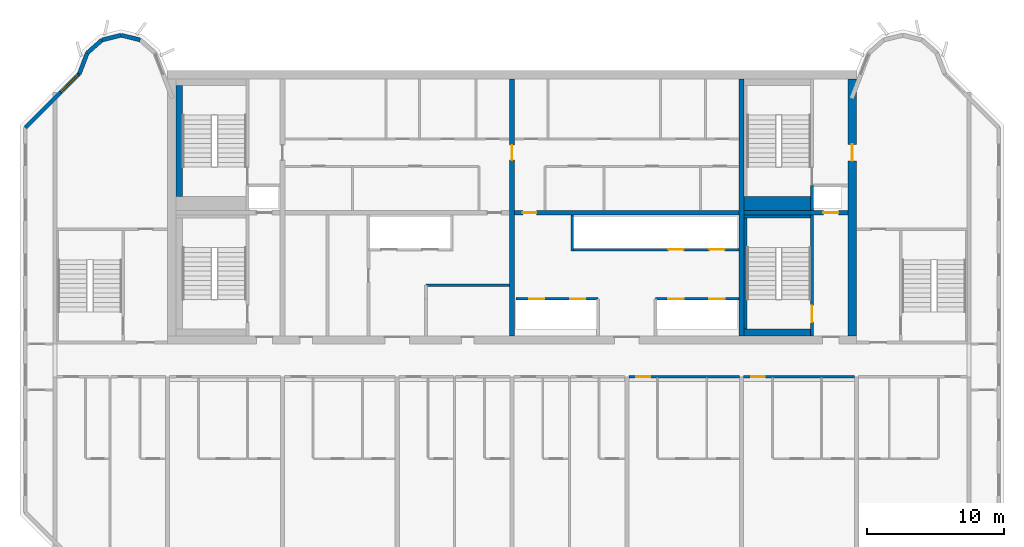
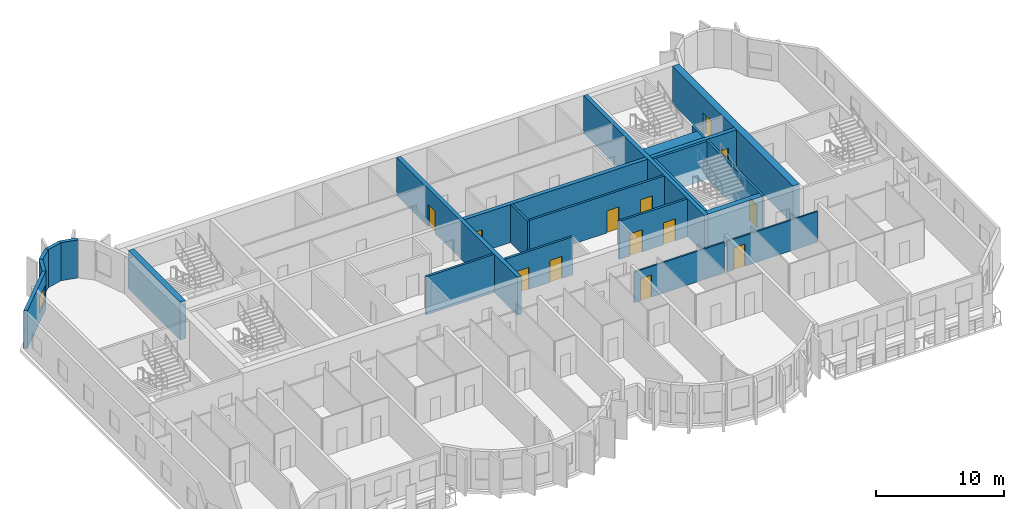
# One storey, part 6 of 11: 24 walls, 13 doors, 1 window, 14 openings.
"""IFC4 building model written with IfcOpenShell, lengths in metres."""

from ifc_helpers import new_model, si_unit, direction, frame, frame_2d, origin, place, context, subcontext, project, spatial, rectangle, extrude, source, transform, mapped, material, layer, layer_set, type_object, element, fill, save


model = new_model("IFC4")

# Units and contexts
model_context = context("Model", 3, precision=1e-05, world=origin(), true_north=direction((0.0, 1.0)))
body_context = subcontext(model_context, "Body", "Model", "MODEL_VIEW")
ifc_project = project(units=[si_unit("LENGTHUNIT", "METRE"), si_unit("AREAUNIT", "SQUARE_METRE"), si_unit("VOLUMEUNIT", "CUBIC_METRE"), si_unit("PLANEANGLEUNIT", "RADIAN"), si_unit("MASSUNIT", "GRAM", prefix="KILO")], contexts=[model_context])

# Site, building, storey
site_placement = place(None, origin())
site = spatial("IfcSite", under=ifc_project, at=site_placement, CompositionType="ELEMENT")
building_placement = place(site_placement, origin())
building = spatial("IfcBuilding", under=site, at=building_placement, Name="Vanashikhar Sky Hotel", CompositionType="ELEMENT")
storey_placement = place(building_placement, frame((0.0, 0.0, 260.800048828125)))
storey = spatial("IfcBuildingStorey", under=building, at=storey_placement, Name="L63", CompositionType="ELEMENT", Elevation=260.800048828125)

# Wall, opening, door
ifc_material_1 = material(Name="Concrete M60", Category="concrete")
ifc_layer_1 = layer(ifc_material_1, 0.60009765625)
ifc_layer_set_1 = layer_set([ifc_layer_1], Name="RC core shell wall 600 Concrete M60")
wall_type_1 = type_object("IfcWallType", Name="RC core shell wall 600 Concrete M60", PredefinedType="SHEAR", material=ifc_layer_set_1)
shared_shape_1 = source(origin(), body_context, "Body", "SweptSolid", [
    extrude(rectangle(XDim=18.7998046875, YDim=0.60009765625, at=frame_2d((9.39990234375, 0.0))), origin(), (0.0, 0.0, 1.0), 3.619873046875),
])
wall_1_placement = place(storey_placement, frame((75.300048828125, 22.60009765625, 0.0), z_axis=(0.0, 0.0, 1.0), x_axis=(0.0, 1.0, 0.0)))
wall_1 = element("IfcWall", 1, at=wall_1_placement, inside=storey, type_object=wall_type_1, Name="KW-L63-KE", PredefinedType="SHEAR", context=body_context, shape_type="MappedRepresentation", body=[
    mapped(shared_shape_1, transform((0.0, 0.0, 0.0), scale=1.0)),
])
shared_shape_2 = source(origin(), body_context, "Body", "SweptSolid", [
    extrude(rectangle(XDim=1.199951171875, YDim=2.10009765625, at=frame_2d((0.60009765625, 1.050048828125))), frame((0.0, 0.31005859375, 0.0), z_axis=(0.0, -1.0, 0.0), x_axis=(1.0, 0.0, 0.0)), (0.0, 0.0, 1.0), 0.6201171875),
])
opening_1_placement = place(wall_1_placement, frame((12.800048828125, 0.0, 0.0)))
opening_1 = element("IfcOpeningElement", 2, at=opening_1_placement, cuts=wall_1, Name="Opening DC-4-D", PredefinedType="OPENING", context=body_context, shape_type="MappedRepresentation", body=[
    mapped(shared_shape_2, transform((0.0, 0.0, 0.0), scale=1.0)),
])
ifc_material_2 = material(Name="Steel", Category="steel")
door_type_1 = type_object("IfcDoorType", Name="Service door 1200 FD120", OperationType="NOTDEFINED", PredefinedType="DOOR", material=ifc_material_2)
shared_shape_3 = source(origin(), body_context, "Body", "SweptSolid", [
    extrude(rectangle(XDim=1.199951171875, YDim=2.10009765625, at=frame_2d((0.60009765625, 1.050048828125))), frame((0.0, 0.02490234375, 0.0), z_axis=(0.0, -1.0, 0.0), x_axis=(1.0, 0.0, 0.0)), (0.0, 0.0, 1.0), 0.050048828125),
])
door_1_placement = place(opening_1_placement, origin())
door_1 = element("IfcDoor", 3, at=door_1_placement, inside=storey, type_object=door_type_1, Name="Service door 1200 FD120", OperationType="SINGLE_SWING_RIGHT", OverallHeight=2.10009765625, OverallWidth=1.199951171875, PredefinedType="DOOR", context=body_context, shape_type="MappedRepresentation", body=[
    mapped(shared_shape_3, transform((0.0, 0.0, 0.0), scale=1.0)),
])
fill(opening_1, door_1)

ifc_layer_2 = layer(ifc_material_1, 0.35009765625)
ifc_layer_set_2 = layer_set([ifc_layer_2], Name="RC core inner wall 350 Concrete M60")
wall_type_2 = type_object("IfcWallType", Name="RC core inner wall 350 Concrete M60", PredefinedType="SHEAR", material=ifc_layer_set_2)
shared_shape_4 = source(origin(), body_context, "Body", "SweptSolid", [
    extrude(rectangle(XDim=18.7998046875, YDim=0.35009765625, at=frame_2d((9.39990234375, 0.0))), origin(), (0.0, 0.0, 1.0), 3.619873046875),
])
wall_2_placement = place(storey_placement, frame((50.39990234375, 22.60009765625, 0.0), z_axis=(0.0, 0.0, 1.0), x_axis=(0.0, 1.0, 0.0)))
wall_2 = element("IfcWall", 4, at=wall_2_placement, inside=storey, type_object=wall_type_2, Name="KW-L63-KX2", PredefinedType="SHEAR", context=body_context, shape_type="MappedRepresentation", body=[
    mapped(shared_shape_4, transform((0.0, 0.0, 0.0), scale=1.0)),
])
shared_shape_5 = source(origin(), body_context, "Body", "SweptSolid", [
    extrude(rectangle(XDim=1.10009765625, YDim=2.10009765625, at=frame_2d((0.550048828125, 1.050048828125))), frame((0.0, 0.18505859375, 0.0), z_axis=(0.0, -1.0, 0.0), x_axis=(1.0, 0.0, 0.0)), (0.0, 0.0, 1.0), 0.3701171875),
])
opening_2_placement = place(wall_2_placement, frame((12.85009765625, 0.0, 0.0)))
opening_2 = element("IfcOpeningElement", 5, at=opening_2_placement, cuts=wall_2, Name="Opening DC-4-C", PredefinedType="OPENING", context=body_context, shape_type="MappedRepresentation", body=[
    mapped(shared_shape_5, transform((0.0, 0.0, 0.0), scale=1.0)),
])
door_type_2 = type_object("IfcDoorType", Name="Service door 1100 FD60", OperationType="NOTDEFINED", PredefinedType="DOOR", material=ifc_material_2)
shared_shape_6 = source(origin(), body_context, "Body", "SweptSolid", [
    extrude(rectangle(XDim=1.10009765625, YDim=2.10009765625, at=frame_2d((0.550048828125, 1.050048828125))), frame((0.0, 0.02490234375, 0.0), z_axis=(0.0, -1.0, 0.0), x_axis=(1.0, 0.0, 0.0)), (0.0, 0.0, 1.0), 0.050048828125),
])
door_2_placement = place(opening_2_placement, origin())
door_2 = element("IfcDoor", 6, at=door_2_placement, inside=storey, type_object=door_type_2, Name="Service door 1100 FD60", OperationType="SINGLE_SWING_LEFT", OverallHeight=2.10009765625, OverallWidth=1.10009765625, PredefinedType="DOOR", context=body_context, shape_type="MappedRepresentation", body=[
    mapped(shared_shape_6, transform((0.0, 0.0, 0.0), scale=1.0)),
])
fill(opening_2, door_2)

# Wall
wall_3_placement = place(storey_placement, frame((67.199951171875, 22.60009765625, 0.0), z_axis=(0.0, 0.0, 1.0), x_axis=(0.0, 1.0, 0.0)))
element("IfcWall", 7, at=wall_3_placement, inside=storey, type_object=wall_type_2, Name="KW-L63-KX3", PredefinedType="SHEAR", context=body_context, shape_type="MappedRepresentation", body=[
    mapped(shared_shape_4, transform((0.0, 0.0, 0.0), scale=1.0)),
])

# Wall, opening, door
shared_shape_7 = source(origin(), body_context, "Body", "SweptSolid", [
    extrude(rectangle(XDim=7.625, YDim=0.35009765625, at=frame_2d((3.8125, 0.0))), origin(), (0.0, 0.0, 1.0), 3.619873046875),
])
wall_4_placement = place(storey_placement, frame((67.375, 31.60009765625, 0.0), z_axis=(0.0, 0.0, 1.0), x_axis=(1.0, 0.0, 0.0)))
wall_4 = element("IfcWall", 8, at=wall_4_placement, inside=storey, type_object=wall_type_2, Name="KW-L63-KY4", PredefinedType="SHEAR", context=body_context, shape_type="MappedRepresentation", body=[
    mapped(shared_shape_7, transform((0.0, 0.0, 0.0), scale=1.0)),
])
opening_3_placement = place(wall_4_placement, frame((5.800048828125, 0.0, 0.0)))
opening_3 = element("IfcOpeningElement", 9, at=opening_3_placement, cuts=wall_4, Name="Opening LD", PredefinedType="OPENING", context=body_context, shape_type="MappedRepresentation", body=[
    mapped(shared_shape_5, transform((0.0, 0.0, 0.0), scale=1.0)),
])
ifc_material_3 = material(Name="Stainless steel", Category="steel")
door_type_3 = type_object("IfcDoorType", Name="Lift landing door 1100", OperationType="NOTDEFINED", PredefinedType="DOOR", material=ifc_material_3)
door_3_placement = place(opening_3_placement, origin())
door_3 = element("IfcDoor", 10, at=door_3_placement, inside=storey, type_object=door_type_3, Name="Lift landing door 1100", OperationType="SLIDING_TO_LEFT", OverallHeight=2.10009765625, OverallWidth=1.10009765625, PredefinedType="DOOR", context=body_context, shape_type="MappedRepresentation", body=[
    mapped(shared_shape_6, transform((0.0, 0.0, 0.0), scale=1.0)),
])
fill(opening_3, door_3)

shared_shape_8 = source(origin(), body_context, "Body", "SweptSolid", [
    extrude(rectangle(XDim=16.449951171875, YDim=0.35009765625, at=frame_2d((8.22509765625, 0.0))), origin(), (0.0, 0.0, 1.0), 3.619873046875),
])
wall_5_placement = place(storey_placement, frame((50.574951171875, 31.60009765625, 0.0), z_axis=(0.0, 0.0, 1.0), x_axis=(1.0, 0.0, 0.0)))
wall_5 = element("IfcWall", 11, at=wall_5_placement, inside=storey, type_object=wall_type_2, Name="KW-L63-KY3", PredefinedType="SHEAR", context=body_context, shape_type="MappedRepresentation", body=[
    mapped(shared_shape_8, transform((0.0, 0.0, 0.0), scale=1.0)),
])
shared_shape_9 = source(origin(), body_context, "Body", "SweptSolid", [
    extrude(rectangle(XDim=1.0, YDim=2.10009765625, at=frame_2d((0.5, 1.050048828125))), frame((0.0, 0.18505859375, 0.0), z_axis=(0.0, -1.0, 0.0), x_axis=(1.0, 0.0, 0.0)), (0.0, 0.0, 1.0), 0.3701171875),
])
opening_4_placement = place(wall_5_placement, frame((0.613037109375, 0.0, 0.0)))
opening_4 = element("IfcOpeningElement", 12, at=opening_4_placement, cuts=wall_5, Name="Opening DC-4", PredefinedType="OPENING", context=body_context, shape_type="MappedRepresentation", body=[
    mapped(shared_shape_9, transform((0.0, 0.0, 0.0), scale=1.0)),
])
door_type_4 = type_object("IfcDoorType", Name="Service door 1000 FD60", OperationType="NOTDEFINED", PredefinedType="DOOR", material=ifc_material_2)
shared_shape_10 = source(origin(), body_context, "Body", "SweptSolid", [
    extrude(rectangle(XDim=1.0, YDim=2.10009765625, at=frame_2d((0.5, 1.050048828125))), frame((0.0, 0.02490234375, 0.0), z_axis=(0.0, -1.0, 0.0), x_axis=(1.0, 0.0, 0.0)), (0.0, 0.0, 1.0), 0.050048828125),
])
door_4_placement = place(opening_4_placement, origin())
door_4 = element("IfcDoor", 13, at=door_4_placement, inside=storey, type_object=door_type_4, Name="Service door 1000 FD60", OperationType="SINGLE_SWING_RIGHT", OverallHeight=2.10009765625, OverallWidth=1.0, PredefinedType="DOOR", context=body_context, shape_type="MappedRepresentation", body=[
    mapped(shared_shape_10, transform((0.0, 0.0, 0.0), scale=1.0)),
])
fill(opening_4, door_4)

# Wall, opening, window
ifc_material_4 = material(Name="Concrete M50", Category="concrete")
ifc_layer_3 = layer(ifc_material_4, 0.300048828125)
ifc_layer_set_3 = layer_set([ifc_layer_3], Name="Lobe wall 300")
wall_type_3 = type_object("IfcWallType", Name="Lobe wall 300", PredefinedType="SOLIDWALL", material=ifc_layer_set_3)
shared_shape_11 = source(origin(), body_context, "Body", "SweptSolid", [
    extrude(rectangle(XDim=5.576416015625, YDim=0.300048828125, at=frame_2d((2.7880859375, 0.0))), origin(), (0.0, 0.0, 1.0), 3.619873046875),
])
wall_6_placement = place(storey_placement, frame((18.7431640625, 41.77734375, 0.0), z_axis=(0.0, 0.0, 1.0), x_axis=(-0.707106781187, -0.707106781187, 0.0)))
wall_6 = element("IfcWall", 14, at=wall_6_placement, inside=storey, type_object=wall_type_3, Name="Corner wall", PredefinedType="SOLIDWALL", context=body_context, shape_type="MappedRepresentation", body=[
    mapped(shared_shape_11, transform((0.0, 0.0, 0.0), scale=1.0)),
])
shared_shape_12 = source(origin(), body_context, "Body", "SweptSolid", [
    extrude(rectangle(XDim=1.800048828125, YDim=1.5, at=frame_2d((0.89990234375, 0.75))), frame((0.0, 0.16015625, 0.0), z_axis=(0.0, -1.0, 0.0), x_axis=(1.0, 0.0, 0.0)), (0.0, 0.0, 1.0), 0.320068359375),
])
opening_5_placement = place(wall_6_placement, frame((0.117919921875, 0.0, 0.89990234375)))
opening_5 = element("IfcOpeningElement", 15, at=opening_5_placement, cuts=wall_6, Name="Opening WN-4", PredefinedType="OPENING", context=body_context, shape_type="MappedRepresentation", body=[
    mapped(shared_shape_12, transform((0.0, 0.0, 0.0), scale=1.0)),
])
ifc_material_5 = material(Name="Glass", Category="glass")
window_type = type_object("IfcWindowType", Name="Corner window 1800 x 1500", PartitioningType="SINGLE_PANEL", PredefinedType="WINDOW", material=ifc_material_5)
shared_shape_13 = source(origin(), body_context, "Body", "SweptSolid", [
    extrude(rectangle(XDim=1.800048828125, YDim=1.5, at=frame_2d((0.89990234375, 0.75))), frame((0.0, 0.030029296875, 0.0), z_axis=(0.0, -1.0, 0.0), x_axis=(1.0, 0.0, 0.0)), (0.0, 0.0, 1.0), 0.06005859375),
])
window_placement = place(opening_5_placement, origin())
window = element("IfcWindow", 16, at=window_placement, inside=storey, type_object=window_type, Name="Window WN-4", OverallHeight=1.5, OverallWidth=1.800048828125, PartitioningType="SINGLE_PANEL", PredefinedType="WINDOW", context=body_context, shape_type="MappedRepresentation", body=[
    mapped(shared_shape_13, transform((0.0, 0.0, 0.0), scale=1.0)),
])
fill(opening_5, window)

# Walls
shared_shape_14 = source(origin(), body_context, "Body", "SweptSolid", [
    extrude(rectangle(XDim=1.4384765625, YDim=0.300048828125, at=frame_2d((0.71923828125, 0.0))), origin(), (0.0, 0.0, 1.0), 3.619873046875),
])
wall_7_placement = place(storey_placement, frame((23.197021484375, 44.2451171875, 0.0), z_axis=(0.0, 0.0, 1.0), x_axis=(-0.971152283879, 0.238460146601, 0.0)))
element("IfcWall", 17, at=wall_7_placement, inside=storey, type_object=wall_type_3, Name="Lobe wall", PredefinedType="SOLIDWALL", context=body_context, shape_type="MappedRepresentation", body=[
    mapped(shared_shape_14, transform((0.0, 0.0, 0.0), scale=1.0)),
])
shared_shape_15 = source(origin(), body_context, "Body", "SweptSolid", [
    extrude(rectangle(XDim=1.438720703125, YDim=0.300048828125, at=frame_2d((0.71923828125, 0.0))), origin(), (0.0, 0.0, 1.0), 3.619873046875),
])
wall_8_placement = place(storey_placement, frame((21.800048828125, 44.588134765625, 0.0), z_axis=(0.0, 0.0, 1.0), x_axis=(-0.971161932466, -0.238420848351, 0.0)))
element("IfcWall", 18, at=wall_8_placement, inside=storey, type_object=wall_type_3, Name="Lobe wall", PredefinedType="SOLIDWALL", context=body_context, shape_type="MappedRepresentation", body=[
    mapped(shared_shape_15, transform((0.0, 0.0, 0.0), scale=1.0)),
])
shared_shape_16 = source(origin(), body_context, "Body", "SweptSolid", [
    extrude(rectangle(XDim=1.43994140625, YDim=0.300048828125, at=frame_2d((0.719970703125, 0.0))), origin(), (0.0, 0.0, 1.0), 3.619873046875),
])
wall_9_placement = place(storey_placement, frame((20.40283203125, 44.2451171875, 0.0), z_axis=(0.0, 0.0, 1.0), x_axis=(-0.74957555648, -0.661918790432, 0.0)))
element("IfcWall", 19, at=wall_9_placement, inside=storey, type_object=wall_type_3, Name="Lobe wall", PredefinedType="SOLIDWALL", context=body_context, shape_type="MappedRepresentation", body=[
    mapped(shared_shape_16, transform((0.0, 0.0, 0.0), scale=1.0)),
])
shared_shape_17 = source(origin(), body_context, "Body", "SweptSolid", [
    extrude(rectangle(XDim=1.6220703125, YDim=0.300048828125, at=frame_2d((0.81103515625, 0.0))), origin(), (0.0, 0.0, 1.0), 3.619873046875),
])
wall_10_placement = place(storey_placement, frame((19.323486328125, 43.2919921875, 0.0), z_axis=(0.0, 0.0, 1.0), x_axis=(-0.357778527068, -0.933806471154, 0.0)))
element("IfcWall", 20, at=wall_10_placement, inside=storey, type_object=wall_type_3, Name="Lobe wall", PredefinedType="SOLIDWALL", context=body_context, shape_type="MappedRepresentation", body=[
    mapped(shared_shape_17, transform((0.0, 0.0, 0.0), scale=1.0)),
])

# Wall, openings, doors
ifc_material_6 = material(Name="Concrete M40", Category="concrete")
ifc_layer_4 = layer(ifc_material_6, 0.199951171875)
ifc_layer_set_4 = layer_set([ifc_layer_4], Name="Shaft wall 200")
wall_type_4 = type_object("IfcWallType", Name="Shaft wall 200", PredefinedType="SOLIDWALL", material=ifc_layer_set_4)
shared_shape_18 = source(origin(), body_context, "Body", "SweptSolid", [
    extrude(rectangle(XDim=6.0, YDim=0.199951171875, at=frame_2d((3.0, 0.0))), origin(), (0.0, 0.0, 1.0), 3.619873046875),
])
wall_11_placement = place(storey_placement, frame((56.699951171875, 25.300048828125, 0.0), z_axis=(0.0, 0.0, 1.0), x_axis=(-1.0, 0.0, 0.0)))
wall_11 = element("IfcWall", 21, at=wall_11_placement, inside=storey, type_object=wall_type_4, Name="Shaft wall 200", PredefinedType="SOLIDWALL", context=body_context, shape_type="MappedRepresentation", body=[
    mapped(shared_shape_18, transform((0.0, 0.0, 0.0), scale=1.0)),
])
shared_shape_19 = source(origin(), body_context, "Body", "SweptSolid", [
    extrude(rectangle(XDim=1.10009765625, YDim=2.10009765625, at=frame_2d((0.550048828125, 1.050048828125))), frame((0.0, 0.10986328125, 0.0), z_axis=(0.0, -1.0, 0.0), x_axis=(1.0, 0.0, 0.0)), (0.0, 0.0, 1.0), 0.219970703125),
])
opening_6_placement = place(wall_11_placement, frame((0.949951171875, 0.0, 0.0)))
opening_6 = element("IfcOpeningElement", 22, at=opening_6_placement, cuts=wall_11, Name="Opening LD", PredefinedType="OPENING", context=body_context, shape_type="MappedRepresentation", body=[
    mapped(shared_shape_19, transform((0.0, 0.0, 0.0), scale=1.0)),
])
opening_7_placement = place(wall_11_placement, frame((3.949951171875, 0.0, 0.0)))
opening_7 = element("IfcOpeningElement", 23, at=opening_7_placement, cuts=wall_11, Name="Opening LD", PredefinedType="OPENING", context=body_context, shape_type="MappedRepresentation", body=[
    mapped(shared_shape_19, transform((0.0, 0.0, 0.0), scale=1.0)),
])
door_5_placement = place(opening_6_placement, origin())
door_5 = element("IfcDoor", 24, at=door_5_placement, inside=storey, type_object=door_type_3, Name="Lift landing door 1100", OperationType="SLIDING_TO_RIGHT", OverallHeight=2.10009765625, OverallWidth=1.10009765625, PredefinedType="DOOR", context=body_context, shape_type="MappedRepresentation", body=[
    mapped(shared_shape_6, transform((0.0, 0.0, 0.0), scale=1.0)),
])
fill(opening_6, door_5)
door_6_placement = place(opening_7_placement, origin())
door_6 = element("IfcDoor", 25, at=door_6_placement, inside=storey, type_object=door_type_3, Name="Lift landing door 1100", OperationType="SLIDING_TO_LEFT", OverallHeight=2.10009765625, OverallWidth=1.10009765625, PredefinedType="DOOR", context=body_context, shape_type="MappedRepresentation", body=[
    mapped(shared_shape_6, transform((0.0, 0.0, 0.0), scale=1.0)),
])
fill(opening_7, door_6)

# Walls
shared_shape_20 = source(origin(), body_context, "Body", "SweptSolid", [
    extrude(rectangle(XDim=2.625, YDim=0.199951171875, at=frame_2d((1.3125, 0.0))), origin(), (0.0, 0.0, 1.0), 3.619873046875),
])
wall_12_placement = place(storey_placement, frame((54.800048828125, 28.800048828125, 0.0), z_axis=(0.0, 0.0, 1.0), x_axis=(0.0, 1.0, 0.0)))
element("IfcWall", 26, at=wall_12_placement, inside=storey, type_object=wall_type_4, Name="Shaft wall 200", PredefinedType="SOLIDWALL", context=body_context, shape_type="MappedRepresentation", body=[
    mapped(shared_shape_20, transform((0.0, 0.0, 0.0), scale=1.0)),
])
ifc_material_7 = material(Name="Gypsum board partition")
ifc_layer_5 = layer(ifc_material_7, 0.14990234375)
ifc_layer_set_5 = layer_set([ifc_layer_5], Name="Service partition 150")
wall_type_5 = type_object("IfcWallType", Name="Service partition 150", PredefinedType="PARTITIONING", material=ifc_layer_set_5)
shared_shape_21 = source(origin(), body_context, "Body", "SweptSolid", [
    extrude(rectangle(XDim=6.125, YDim=0.199951171875, at=frame_2d((3.0625, 0.0))), origin(), (0.0, 0.0, 1.0), 3.619873046875),
])
wall_13_placement = place(storey_placement, frame((44.10009765625, 26.300048828125, 0.0), z_axis=(0.0, 0.0, 1.0), x_axis=(1.0, 0.0, 0.0)))
element("IfcWall", 27, at=wall_13_placement, inside=storey, type_object=wall_type_5, Name="Service partition 150", PredefinedType="PARTITIONING", context=body_context, shape_type="MappedRepresentation", body=[
    mapped(shared_shape_21, transform((0.0, 0.0, 0.0), scale=1.0)),
])

# Wall, openings, doors
wall_14_placement = place(storey_placement, frame((67.02490234375, 25.300048828125, 0.0), z_axis=(0.0, 0.0, 1.0), x_axis=(-1.0, 0.0, 0.0)))
wall_14 = element("IfcWall", 28, at=wall_14_placement, inside=storey, type_object=wall_type_4, Name="Shaft wall 200", PredefinedType="SOLIDWALL", context=body_context, shape_type="MappedRepresentation", body=[
    mapped(shared_shape_21, transform((0.0, 0.0, 0.0), scale=1.0)),
])
opening_8_placement = place(wall_14_placement, frame((1.074951171875, 0.0, 0.0)))
opening_8 = element("IfcOpeningElement", 29, at=opening_8_placement, cuts=wall_14, Name="Opening LD", PredefinedType="OPENING", context=body_context, shape_type="MappedRepresentation", body=[
    mapped(shared_shape_19, transform((0.0, 0.0, 0.0), scale=1.0)),
])
opening_9_placement = place(wall_14_placement, frame((4.074951171875, 0.0, 0.0)))
opening_9 = element("IfcOpeningElement", 30, at=opening_9_placement, cuts=wall_14, Name="Opening LD", PredefinedType="OPENING", context=body_context, shape_type="MappedRepresentation", body=[
    mapped(shared_shape_19, transform((0.0, 0.0, 0.0), scale=1.0)),
])
door_7_placement = place(opening_8_placement, origin())
door_7 = element("IfcDoor", 31, at=door_7_placement, inside=storey, type_object=door_type_3, Name="Lift landing door 1100", OperationType="SLIDING_TO_RIGHT", OverallHeight=2.10009765625, OverallWidth=1.10009765625, PredefinedType="DOOR", context=body_context, shape_type="MappedRepresentation", body=[
    mapped(shared_shape_6, transform((0.0, 0.0, 0.0), scale=1.0)),
])
fill(opening_8, door_7)
door_8_placement = place(opening_9_placement, origin())
door_8 = element("IfcDoor", 32, at=door_8_placement, inside=storey, type_object=door_type_3, Name="Lift landing door 1100", OperationType="SLIDING_TO_LEFT", OverallHeight=2.10009765625, OverallWidth=1.10009765625, PredefinedType="DOOR", context=body_context, shape_type="MappedRepresentation", body=[
    mapped(shared_shape_6, transform((0.0, 0.0, 0.0), scale=1.0)),
])
fill(opening_9, door_8)

shared_shape_22 = source(origin(), body_context, "Body", "SweptSolid", [
    extrude(rectangle(XDim=12.125, YDim=0.199951171875, at=frame_2d((6.0625, 0.0))), origin(), (0.0, 0.0, 1.0), 3.619873046875),
])
wall_15_placement = place(storey_placement, frame((67.02490234375, 28.89990234375, 0.0), z_axis=(0.0, 0.0, 1.0), x_axis=(-1.0, 0.0, 0.0)))
wall_15 = element("IfcWall", 33, at=wall_15_placement, inside=storey, type_object=wall_type_4, Name="Shaft wall 200", PredefinedType="SOLIDWALL", context=body_context, shape_type="MappedRepresentation", body=[
    mapped(shared_shape_22, transform((0.0, 0.0, 0.0), scale=1.0)),
])
opening_10_placement = place(wall_15_placement, frame((1.074951171875, 0.0, 0.0)))
opening_10 = element("IfcOpeningElement", 34, at=opening_10_placement, cuts=wall_15, Name="Opening LD", PredefinedType="OPENING", context=body_context, shape_type="MappedRepresentation", body=[
    mapped(shared_shape_19, transform((0.0, 0.0, 0.0), scale=1.0)),
])
opening_11_placement = place(wall_15_placement, frame((4.074951171875, 0.0, 0.0)))
opening_11 = element("IfcOpeningElement", 35, at=opening_11_placement, cuts=wall_15, Name="Opening LD", PredefinedType="OPENING", context=body_context, shape_type="MappedRepresentation", body=[
    mapped(shared_shape_19, transform((0.0, 0.0, 0.0), scale=1.0)),
])
door_9_placement = place(opening_10_placement, origin())
door_9 = element("IfcDoor", 36, at=door_9_placement, inside=storey, type_object=door_type_3, Name="Lift landing door 1100", OperationType="SLIDING_TO_RIGHT", OverallHeight=2.10009765625, OverallWidth=1.10009765625, PredefinedType="DOOR", context=body_context, shape_type="MappedRepresentation", body=[
    mapped(shared_shape_6, transform((0.0, 0.0, 0.0), scale=1.0)),
])
fill(opening_10, door_9)
door_10_placement = place(opening_11_placement, origin())
door_10 = element("IfcDoor", 37, at=door_10_placement, inside=storey, type_object=door_type_3, Name="Lift landing door 1100", OperationType="SLIDING_TO_LEFT", OverallHeight=2.10009765625, OverallWidth=1.10009765625, PredefinedType="DOOR", context=body_context, shape_type="MappedRepresentation", body=[
    mapped(shared_shape_6, transform((0.0, 0.0, 0.0), scale=1.0)),
])
fill(opening_11, door_10)

# Wall, opening, door
ifc_layer_6 = layer(ifc_material_4, 0.199951171875)
ifc_layer_set_6 = layer_set([ifc_layer_6], Name="Stair wall 200")
wall_type_6 = type_object("IfcWallType", Name="Stair wall 200", PredefinedType="SOLIDWALL", material=ifc_layer_set_6)
shared_shape_23 = source(origin(), body_context, "Body", "SweptSolid", [
    extrude(rectangle(XDim=8.824951171875, YDim=0.199951171875, at=frame_2d((4.41259765625, 0.0))), origin(), (0.0, 0.0, 1.0), 3.619873046875),
])
wall_16_placement = place(storey_placement, frame((72.35009765625, 22.60009765625, 0.0), z_axis=(0.0, 0.0, 1.0), x_axis=(0.0, 1.0, 0.0)))
wall_16 = element("IfcWall", 38, at=wall_16_placement, inside=storey, type_object=wall_type_6, Name="Stair wall 200", PredefinedType="SOLIDWALL", context=body_context, shape_type="MappedRepresentation", body=[
    mapped(shared_shape_23, transform((0.0, 0.0, 0.0), scale=1.0)),
])
shared_shape_24 = source(origin(), body_context, "Body", "SweptSolid", [
    extrude(rectangle(XDim=1.199951171875, YDim=2.10009765625, at=frame_2d((0.60009765625, 1.050048828125))), frame((0.0, 0.10986328125, 0.0), z_axis=(0.0, -1.0, 0.0), x_axis=(1.0, 0.0, 0.0)), (0.0, 0.0, 1.0), 0.219970703125),
])
opening_12_placement = place(wall_16_placement, frame((1.0, 0.0, 0.0)))
opening_12 = element("IfcOpeningElement", 39, at=opening_12_placement, cuts=wall_16, Name="Opening DC-1", PredefinedType="OPENING", context=body_context, shape_type="MappedRepresentation", body=[
    mapped(shared_shape_24, transform((0.0, 0.0, 0.0), scale=1.0)),
])
door_type_5 = type_object("IfcDoorType", Name="Stair door 1200 FD120", OperationType="NOTDEFINED", PredefinedType="DOOR", material=ifc_material_2)
door_11_placement = place(opening_12_placement, origin())
door_11 = element("IfcDoor", 40, at=door_11_placement, inside=storey, type_object=door_type_5, Name="Stair door 1200 FD120", OperationType="SINGLE_SWING_LEFT", OverallHeight=2.10009765625, OverallWidth=1.199951171875, PredefinedType="DOOR", context=body_context, shape_type="MappedRepresentation", body=[
    mapped(shared_shape_3, transform((0.0, 0.0, 0.0), scale=1.0)),
])
fill(opening_12, door_11)

# Walls
shared_shape_25 = source(origin(), body_context, "Body", "SweptSolid", [
    extrude(rectangle(XDim=1.8251953125, YDim=0.199951171875, at=frame_2d((0.91259765625, 0.0))), origin(), (0.0, 0.0, 1.0), 3.619873046875),
])
wall_17_placement = place(storey_placement, frame((72.35009765625, 31.77490234375, 0.0), z_axis=(0.0, 0.0, 1.0), x_axis=(0.0, 1.0, 0.0)))
element("IfcWall", 41, at=wall_17_placement, inside=storey, type_object=wall_type_4, Name="Shaft wall 200", PredefinedType="SOLIDWALL", context=body_context, shape_type="MappedRepresentation", body=[
    mapped(shared_shape_25, transform((0.0, 0.0, 0.0), scale=1.0)),
])
ifc_layer_7 = layer(ifc_material_4, 0.5)
ifc_layer_set_7 = layer_set([ifc_layer_7], Name="Stair infill wall 500")
wall_type_7 = type_object("IfcWallType", Name="Stair infill wall 500", PredefinedType="SOLIDWALL", material=ifc_layer_set_7)
shared_shape_26 = source(origin(), body_context, "Body", "SweptSolid", [
    extrude(rectangle(XDim=8.099853515625, YDim=0.5, at=frame_2d((4.0498046875, 0.0))), origin(), (0.0, 0.0, 1.0), 3.619873046875),
])
wall_18_placement = place(storey_placement, frame((26.050048828125, 32.800048828125, 0.0), z_axis=(0.0, 0.0, 1.0), x_axis=(0.0, 1.0, 0.0)))
element("IfcWall", 42, at=wall_18_placement, inside=storey, type_object=wall_type_7, Name="Stair infill wall 500", PredefinedType="SOLIDWALL", context=body_context, shape_type="MappedRepresentation", body=[
    mapped(shared_shape_26, transform((0.0, 0.0, 0.0), scale=1.0)),
])
shared_shape_27 = source(origin(), body_context, "Body", "SweptSolid", [
    extrude(rectangle(XDim=4.875, YDim=0.5, at=frame_2d((2.4375, 0.0))), origin(), (0.0, 0.0, 1.0), 3.619873046875),
])
wall_19_placement = place(storey_placement, frame((67.375, 22.85009765625, 0.0), z_axis=(0.0, 0.0, 1.0), x_axis=(1.0, 0.0, 0.0)))
element("IfcWall", 43, at=wall_19_placement, inside=storey, type_object=wall_type_7, Name="Stair infill wall 500", PredefinedType="SOLIDWALL", context=body_context, shape_type="MappedRepresentation", body=[
    mapped(shared_shape_27, transform((0.0, 0.0, 0.0), scale=1.0)),
])
ifc_layer_8 = layer(ifc_material_4, 0.22509765625)
ifc_layer_set_8 = layer_set([ifc_layer_8], Name="Stair infill wall 225")
wall_type_8 = type_object("IfcWallType", Name="Stair infill wall 225", PredefinedType="SOLIDWALL", material=ifc_layer_set_8)
shared_shape_28 = source(origin(), body_context, "Body", "SweptSolid", [
    extrude(rectangle(XDim=4.875, YDim=0.22509765625, at=frame_2d((2.4375, 0.0))), origin(), (0.0, 0.0, 1.0), 3.619873046875),
])
wall_20_placement = place(storey_placement, frame((67.375, 31.31201171875, 0.0), z_axis=(0.0, 0.0, 1.0), x_axis=(1.0, 0.0, 0.0)))
element("IfcWall", 44, at=wall_20_placement, inside=storey, type_object=wall_type_8, Name="Stair infill wall 225", PredefinedType="SOLIDWALL", context=body_context, shape_type="MappedRepresentation", body=[
    mapped(shared_shape_28, transform((0.0, 0.0, 0.0), scale=1.0)),
])
shared_shape_29 = source(origin(), body_context, "Body", "SweptSolid", [
    extrude(rectangle(XDim=8.099853515625, YDim=0.22509765625, at=frame_2d((4.0498046875, 0.0))), origin(), (0.0, 0.0, 1.0), 3.619873046875),
])
wall_21_placement = place(storey_placement, frame((67.487060546875, 23.10009765625, 0.0), z_axis=(0.0, 0.0, 1.0), x_axis=(0.0, 1.0, 0.0)))
element("IfcWall", 45, at=wall_21_placement, inside=storey, type_object=wall_type_8, Name="Stair infill wall 225", PredefinedType="SOLIDWALL", context=body_context, shape_type="MappedRepresentation", body=[
    mapped(shared_shape_29, transform((0.0, 0.0, 0.0), scale=1.0)),
])
ifc_layer_9 = layer(ifc_material_4, 1.02490234375)
ifc_layer_set_9 = layer_set([ifc_layer_9], Name="Stair infill wall 1025")
wall_type_9 = type_object("IfcWallType", Name="Stair infill wall 1025", PredefinedType="SOLIDWALL", material=ifc_layer_set_9)
shared_shape_30 = source(origin(), body_context, "Body", "SweptSolid", [
    extrude(rectangle(XDim=4.875, YDim=1.02490234375, at=frame_2d((2.4375, 0.0))), origin(), (0.0, 0.0, 1.0), 3.619873046875),
])
wall_22_placement = place(storey_placement, frame((67.375, 32.287109375, 0.0), z_axis=(0.0, 0.0, 1.0), x_axis=(1.0, 0.0, 0.0)))
element("IfcWall", 46, at=wall_22_placement, inside=storey, type_object=wall_type_9, Name="Stair infill wall 1025", PredefinedType="SOLIDWALL", context=body_context, shape_type="MappedRepresentation", body=[
    mapped(shared_shape_30, transform((0.0, 0.0, 0.0), scale=1.0)),
])

# Wall, opening, door
ifc_material_8 = material(Name="Gypsum plasterboard partition")
ifc_layer_10 = layer(ifc_material_8, 0.14990234375)
ifc_layer_set_10 = layer_set([ifc_layer_10], Name="Corridor and demising partition 150")
wall_type_10 = type_object("IfcWallType", Name="Corridor and demising partition 150", PredefinedType="PARTITIONING", material=ifc_layer_set_10)
shared_shape_31 = source(origin(), body_context, "Body", "SweptSolid", [
    extrude(rectangle(XDim=8.099853515625, YDim=0.14990234375, at=frame_2d((4.0498046875, 0.0))), origin(), (0.0, 0.0, 1.0), 2.919921875),
])
wall_23_placement = place(storey_placement, frame((67.35009765625, 19.60009765625, 0.0), z_axis=(0.0, 0.0, 1.0), x_axis=(1.0, 0.0, 0.0)))
wall_23 = element("IfcWall", 47, at=wall_23_placement, inside=storey, type_object=wall_type_10, Name="W-L63-PW041", PredefinedType="PARTITIONING", context=body_context, shape_type="MappedRepresentation", body=[
    mapped(shared_shape_31, transform((0.0, 0.0, 0.0), scale=1.0)),
])
shared_shape_32 = source(origin(), body_context, "Body", "SweptSolid", [
    extrude(rectangle(XDim=1.0, YDim=2.10009765625, at=frame_2d((0.5, 1.050048828125))), frame((0.0, 0.0849609375, 0.0), z_axis=(0.0, -1.0, 0.0), x_axis=(1.0, 0.0, 0.0)), (0.0, 0.0, 1.0), 0.169921875),
])
opening_13_placement = place(wall_23_placement, frame((0.550048828125, 0.0, 0.0)))
opening_13 = element("IfcOpeningElement", 48, at=opening_13_placement, cuts=wall_23, Name="Opening D-01", PredefinedType="OPENING", context=body_context, shape_type="MappedRepresentation", body=[
    mapped(shared_shape_32, transform((0.0, 0.0, 0.0), scale=1.0)),
])
ifc_material_9 = material(Name="Timber fire door", Category="wood")
door_type_6 = type_object("IfcDoorType", Name="Guest entry door 1000 FD30S", OperationType="NOTDEFINED", PredefinedType="DOOR", material=ifc_material_9)
door_12_placement = place(opening_13_placement, origin())
door_12 = element("IfcDoor", 49, at=door_12_placement, inside=storey, type_object=door_type_6, Name="D-L63-024", OperationType="SINGLE_SWING_LEFT", OverallHeight=2.10009765625, OverallWidth=1.0, PredefinedType="DOOR", context=body_context, shape_type="MappedRepresentation", body=[
    mapped(shared_shape_10, transform((0.0, 0.0, 0.0), scale=1.0)),
])
fill(opening_13, door_12)

shared_shape_33 = source(origin(), body_context, "Body", "SweptSolid", [
    extrude(rectangle(XDim=8.10009765625, YDim=0.14990234375, at=frame_2d((4.050048828125, 0.0))), origin(), (0.0, 0.0, 1.0), 2.919921875),
])
wall_24_placement = place(storey_placement, frame((58.949951171875, 19.60009765625, 0.0), z_axis=(0.0, 0.0, 1.0), x_axis=(1.0, 0.0, 0.0)))
wall_24 = element("IfcWall", 50, at=wall_24_placement, inside=storey, type_object=wall_type_10, Name="W-L63-PW036", PredefinedType="PARTITIONING", context=body_context, shape_type="MappedRepresentation", body=[
    mapped(shared_shape_33, transform((0.0, 0.0, 0.0), scale=1.0)),
])
opening_14_placement = place(wall_24_placement, frame((0.550048828125, 0.0, 0.0)))
opening_14 = element("IfcOpeningElement", 51, at=opening_14_placement, cuts=wall_24, Name="Opening D-01", PredefinedType="OPENING", context=body_context, shape_type="MappedRepresentation", body=[
    mapped(shared_shape_32, transform((0.0, 0.0, 0.0), scale=1.0)),
])
door_13_placement = place(opening_14_placement, origin())
door_13 = element("IfcDoor", 52, at=door_13_placement, inside=storey, type_object=door_type_6, Name="D-L63-021", OperationType="SINGLE_SWING_LEFT", OverallHeight=2.10009765625, OverallWidth=1.0, PredefinedType="DOOR", context=body_context, shape_type="MappedRepresentation", body=[
    mapped(shared_shape_10, transform((0.0, 0.0, 0.0), scale=1.0)),
])
fill(opening_14, door_13)

save(model, "model.ifc")
